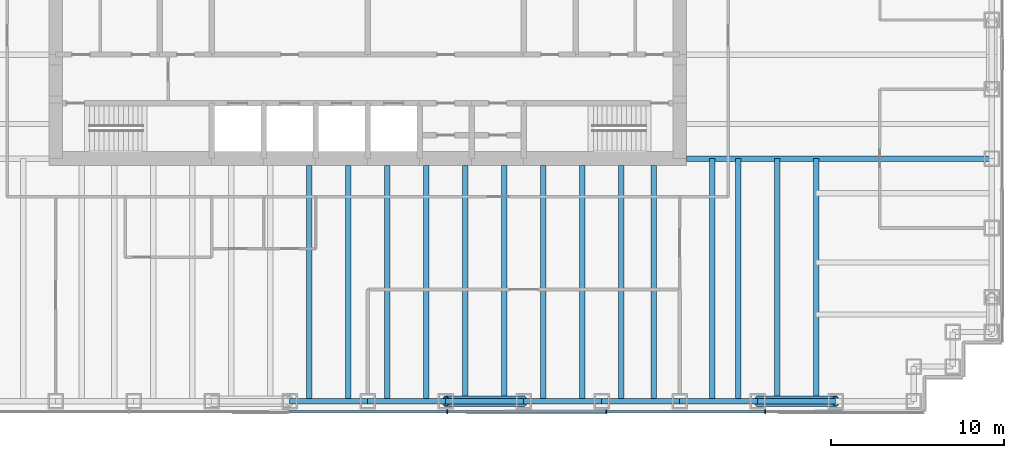
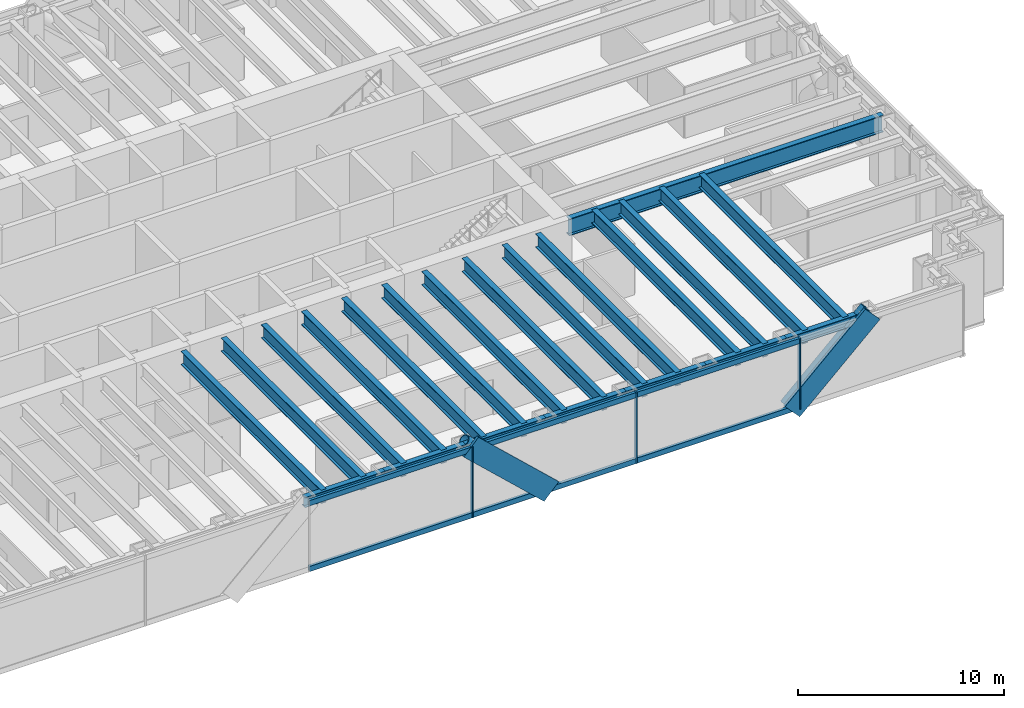
# One storey, part 4 of 15: 22 beams, 13 members, 1 element without a shape of its own.
"""IFC4 building model written with IfcOpenShell, lengths in metres."""

from ifc_helpers import new_model, si_unit, direction, frame, origin, origin_2d, place, context, subcontext, project, spatial, rectangle, hollow_circle, i_section, extrude, material, material_profile, profile_set, type_object, element, aggregate, save


model = new_model("IFC4")

# Units and contexts
model_context = context("Model", 3, precision=1e-05, world=origin(), true_north=direction((0.0, 1.0)))
body_context = subcontext(model_context, "Body", "Model", "MODEL_VIEW")
ifc_project = project(units=[si_unit("LENGTHUNIT", "METRE"), si_unit("AREAUNIT", "SQUARE_METRE"), si_unit("VOLUMEUNIT", "CUBIC_METRE"), si_unit("PLANEANGLEUNIT", "RADIAN"), si_unit("MASSUNIT", "GRAM", prefix="KILO")], contexts=[model_context])

# Site, building, storey
site_placement = place(None, origin())
site = spatial("IfcSite", under=ifc_project, at=site_placement, CompositionType="ELEMENT")
building_placement = place(site_placement, origin())
building = spatial("IfcBuilding", under=site, at=building_placement, Name="Rheinbord Bourse Tower", CompositionType="ELEMENT")
storey_placement = place(building_placement, frame((0.0, 0.0, 236.199951171875)))
storey = spatial("IfcBuildingStorey", under=building, at=storey_placement, Name="L53", CompositionType="ELEMENT", Elevation=236.199951171875)

# Curtain wall, members
ifc_material_1 = material(Name="Dark glass and black aluminium", Category="aluminium")
curtain_wall_type = type_object("IfcCurtainWallType", Name="CW2 DARK GLASS CURTAIN WALL", PredefinedType="USERDEFINED", material=ifc_material_1)
curtain_wall_placement = place(storey_placement, origin())
curtain_wall = element("IfcCurtainWall", 1, at=curtain_wall_placement, inside=storey, type_object=curtain_wall_type, Name="Curtain wall CW2 S L53", ObjectType="UNITISED CURTAIN WALL", PredefinedType="USERDEFINED")
ifc_material_2 = material(Name="Black anodised aluminium", Category="aluminium")
ifc_material_profile_1 = material_profile(ifc_material_2, rectangle(XDim=0.159912109375, YDim=1.2099609375, at=origin_2d()), Name="CW2 DIAGONAL MULLION 1210x160")
ifc_profile_set_1 = profile_set([ifc_material_profile_1], Name="Black anodised aluminium")
member_type_1 = type_object("IfcMemberType", Name="CW2 BLACK DIAGONAL MULLION", PredefinedType="USERDEFINED", material=ifc_profile_set_1)
member_1_placement = place(storey_placement, frame((58.5, 1.39990234375, 0.0), z_axis=(0.73105922506, 0.0, 0.682314010889), x_axis=(0.0, 1.0, 0.0)))
member_1 = element("IfcMember", 2, at=member_1_placement, type_object=member_type_1, Name="CW2 diagonal mullion b", ObjectType="DIAGONAL MULLION", PredefinedType="USERDEFINED", context=body_context, shape_type="SweptSolid", body=[
    extrude(rectangle(XDim=0.159912109375, YDim=1.2099609375, at=origin_2d()), origin(), (0.0, 0.0, 1.0), 6.155517578125),
])
member_2_placement = place(storey_placement, frame((45.0, 1.39990234375, 0.0), z_axis=(-0.73105922506, 0.0, 0.682314010889), x_axis=(0.0, -1.0, 0.0)))
member_2 = element("IfcMember", 3, at=member_2_placement, type_object=member_type_1, Name="CW2 diagonal mullion d", ObjectType="DIAGONAL MULLION", PredefinedType="USERDEFINED", context=body_context, shape_type="SweptSolid", body=[
    extrude(rectangle(XDim=0.159912109375, YDim=1.2099609375, at=origin_2d()), origin(), (0.0, 0.0, 1.0), 6.155517578125),
])
ifc_material_3 = material(Name="Black anodised aluminium", Category="aluminium")
ifc_material_profile_2 = material_profile(ifc_material_3, rectangle(XDim=0.219970703125, YDim=0.070068359375, at=origin_2d()), Name="CW2 MULLION 70x220")
ifc_profile_set_2 = profile_set([ifc_material_profile_2], Name="Black anodised aluminium")
member_type_2 = type_object("IfcMemberType", Name="CW2 BLACK MULLION", PredefinedType="MULLION", material=ifc_profile_set_2)
member_3_placement = place(storey_placement, frame((40.585693359375, 1.39990234375, 0.0), z_axis=(0.0, 0.0, 1.0), x_axis=(0.0, 1.0, 0.0)))
member_3 = element("IfcMember", 4, at=member_3_placement, type_object=member_type_2, Name="CW2 mullion 5", PredefinedType="MULLION", context=body_context, shape_type="SweptSolid", body=[
    extrude(rectangle(XDim=0.219970703125, YDim=0.070068359375, at=origin_2d()), origin(), (0.0, 0.0, 1.0), 4.199951171875),
])
member_4_placement = place(storey_placement, frame((49.757080078125, 1.39990234375, 0.0), z_axis=(0.0, 0.0, 1.0), x_axis=(0.0, 1.0, 0.0)))
member_4 = element("IfcMember", 5, at=member_4_placement, type_object=member_type_2, Name="CW2 mullion 6", PredefinedType="MULLION", context=body_context, shape_type="SweptSolid", body=[
    extrude(rectangle(XDim=0.219970703125, YDim=0.070068359375, at=origin_2d()), origin(), (0.0, 0.0, 1.0), 4.199951171875),
])
member_5_placement = place(storey_placement, frame((58.928466796875, 1.39990234375, 0.0), z_axis=(0.0, 0.0, 1.0), x_axis=(0.0, 1.0, 0.0)))
member_5 = element("IfcMember", 6, at=member_5_placement, type_object=member_type_2, Name="CW2 mullion 7", PredefinedType="MULLION", context=body_context, shape_type="SweptSolid", body=[
    extrude(rectangle(XDim=0.219970703125, YDim=0.070068359375, at=origin_2d()), origin(), (0.0, 0.0, 1.0), 4.199951171875),
])
ifc_material_4 = material(Name="Black anodised aluminium", Category="aluminium")
ifc_material_profile_3 = material_profile(ifc_material_4, rectangle(XDim=0.159912109375, YDim=0.300048828125, at=origin_2d()), Name="CW2 TRANSOM 300x160")
ifc_profile_set_3 = profile_set([ifc_material_profile_3], Name="Black anodised aluminium")
member_type_3 = type_object("IfcMemberType", Name="CW2 BLACK TRANSOM", PredefinedType="USERDEFINED", material=ifc_profile_set_3)
member_6_placement = place(storey_placement, frame((31.44921875, 1.39990234375, 0.150146484375), z_axis=(1.0, 0.0, 0.0), x_axis=(0.0, 1.0, 0.0)))
member_6 = element("IfcMember", 7, at=member_6_placement, type_object=member_type_3, Name="CW2 transom 4.1", ObjectType="TRANSOM", PredefinedType="USERDEFINED", context=body_context, shape_type="SweptSolid", body=[
    extrude(rectangle(XDim=0.159912109375, YDim=0.300048828125, at=origin_2d()), origin(), (0.0, 0.0, 1.0), 9.1015625),
])
member_7_placement = place(storey_placement, frame((31.44921875, 1.39990234375, 4.050048828125), z_axis=(1.0, 0.0, 0.0), x_axis=(0.0, 1.0, 0.0)))
member_7 = element("IfcMember", 8, at=member_7_placement, type_object=member_type_3, Name="CW2 transom 4.2", ObjectType="TRANSOM", PredefinedType="USERDEFINED", context=body_context, shape_type="SweptSolid", body=[
    extrude(rectangle(XDim=0.159912109375, YDim=0.300048828125, at=origin_2d()), origin(), (0.0, 0.0, 1.0), 9.1015625),
])
member_8_placement = place(storey_placement, frame((40.62060546875, 1.39990234375, 0.150146484375), z_axis=(1.0, 0.0, 0.0), x_axis=(0.0, 1.0, 0.0)))
member_8 = element("IfcMember", 9, at=member_8_placement, type_object=member_type_3, Name="CW2 transom 5.1", ObjectType="TRANSOM", PredefinedType="USERDEFINED", context=body_context, shape_type="SweptSolid", body=[
    extrude(rectangle(XDim=0.159912109375, YDim=0.300048828125, at=origin_2d()), origin(), (0.0, 0.0, 1.0), 9.1015625),
])
member_9_placement = place(storey_placement, frame((40.62060546875, 1.39990234375, 4.050048828125), z_axis=(1.0, 0.0, 0.0), x_axis=(0.0, 1.0, 0.0)))
member_9 = element("IfcMember", 10, at=member_9_placement, type_object=member_type_3, Name="CW2 transom 5.2", ObjectType="TRANSOM", PredefinedType="USERDEFINED", context=body_context, shape_type="SweptSolid", body=[
    extrude(rectangle(XDim=0.159912109375, YDim=0.300048828125, at=origin_2d()), origin(), (0.0, 0.0, 1.0), 9.1015625),
])
member_10_placement = place(storey_placement, frame((49.792236328125, 1.39990234375, 0.150146484375), z_axis=(1.0, 0.0, 0.0), x_axis=(0.0, 1.0, 0.0)))
member_10 = element("IfcMember", 11, at=member_10_placement, type_object=member_type_3, Name="CW2 transom 6.1", ObjectType="TRANSOM", PredefinedType="USERDEFINED", context=body_context, shape_type="SweptSolid", body=[
    extrude(rectangle(XDim=0.159912109375, YDim=0.300048828125, at=origin_2d()), origin(), (0.0, 0.0, 1.0), 9.101318359375),
])
member_11_placement = place(storey_placement, frame((49.792236328125, 1.39990234375, 4.050048828125), z_axis=(1.0, 0.0, 0.0), x_axis=(0.0, 1.0, 0.0)))
member_11 = element("IfcMember", 12, at=member_11_placement, type_object=member_type_3, Name="CW2 transom 6.2", ObjectType="TRANSOM", PredefinedType="USERDEFINED", context=body_context, shape_type="SweptSolid", body=[
    extrude(rectangle(XDim=0.159912109375, YDim=0.300048828125, at=origin_2d()), origin(), (0.0, 0.0, 1.0), 9.101318359375),
])
aggregate(curtain_wall, [member_3, member_4, member_5, member_6, member_7, member_8, member_9, member_10, member_11, member_1, member_2])

# Beams
ifc_material_5 = material(Name="Steel S460", Category="steel")
ifc_material_profile_4 = material_profile(ifc_material_5, i_section(OverallWidth=0.300048828125, OverallDepth=0.800048828125, WebThickness=0.017578125, FlangeThickness=0.032958984375, at=origin_2d()), Name="HEB 800")
ifc_profile_set_4 = profile_set([ifc_material_profile_4], Name="Steel S460")
beam_type_1 = type_object("IfcBeamType", Name="FLOOR BEAM HEB 800", PredefinedType="BEAM", material=ifc_profile_set_4)
for number, where, z_axis, x_axis, name in (
    (13, (32.625, 2.0, 3.64013671875), (0.0, 1.0, 0.0), (-1.0, 0.0, 0.0), "Floor beam S-31.5a L54"),
    (14, (34.875, 2.0, 3.64013671875), (0.0, 1.0, 0.0), (-1.0, 0.0, 0.0), "Floor beam S-31.5b L54"),
    (15, (37.125, 2.0, 3.64013671875), (0.0, 1.0, 0.0), (-1.0, 0.0, 0.0), "Floor beam S-36a L54"),
    (16, (39.375, 2.0, 3.64013671875), (0.0, 1.0, 0.0), (-1.0, 0.0, 0.0), "Floor beam S-36b L54"),
    (17, (41.625, 2.0, 3.64013671875), (0.0, 1.0, 0.0), (-1.0, 0.0, 0.0), "Floor beam S-40.5a L54"),
    (18, (43.875, 2.0, 3.64013671875), (0.0, 1.0, 0.0), (-1.0, 0.0, 0.0), "Floor beam S-40.5b L54"),
    (19, (46.125, 2.0, 3.64013671875), (0.0, 1.0, 0.0), (-1.0, 0.0, 0.0), "Floor beam S-45a L54"),
    (20, (48.375, 2.0, 3.64013671875), (0.0, 1.0, 0.0), (-1.0, 0.0, 0.0), "Floor beam S-45b L54"),
    (21, (50.625, 2.0, 3.64013671875), (0.0, 1.0, 0.0), (-1.0, 0.0, 0.0), "Floor beam S-49.5a L54"),
    (22, (52.5, 2.0, 3.64013671875), (0.0, 1.0, 0.0), (-1.0, 0.0, 0.0), "Floor beam S-49.5b L54"),
):
    element("IfcBeam", number, at=place(storey_placement, frame(where, z_axis=z_axis, x_axis=x_axis)), inside=storey, type_object=beam_type_1, Name=name, PredefinedType="BEAM", context=body_context, shape_type="SweptSolid", body=[
        extrude(i_section(OverallWidth=0.300048828125, OverallDepth=0.800048828125, WebThickness=0.017578125, FlangeThickness=0.032958984375, at=origin_2d()), origin(), (0.0, 0.0, 1.0), 13.60009765625),
    ])
for number, where, z_axis, x_axis, name in (
    (23, (55.875, 2.0, 3.64013671875), (0.0, 1.0, 0.0), (-1.0, 0.0, 0.0), "Floor beam S-54a L54"),
    (24, (57.375, 2.0, 3.64013671875), (0.0, 1.0, 0.0), (-1.0, 0.0, 0.0), "Floor beam S-54b L54"),
    (25, (59.625, 2.0, 3.64013671875), (0.0, 1.0, 0.0), (-1.0, 0.0, 0.0), "Floor beam S-58.5a L54"),
    (26, (61.875, 2.0, 3.64013671875), (0.0, 1.0, 0.0), (-1.0, 0.0, 0.0), "Floor beam S-58.5b L54"),
):
    element("IfcBeam", number, at=place(storey_placement, frame(where, z_axis=z_axis, x_axis=x_axis)), inside=storey, type_object=beam_type_1, Name=name, PredefinedType="BEAM", context=body_context, shape_type="SweptSolid", body=[
        extrude(i_section(OverallWidth=0.300048828125, OverallDepth=0.800048828125, WebThickness=0.017578125, FlangeThickness=0.032958984375, at=origin_2d()), origin(), (0.0, 0.0, 1.0), 14.0),
    ])
ifc_material_6 = material(Name="Steel S460", Category="steel")
ifc_material_profile_5 = material_profile(ifc_material_6, i_section(OverallWidth=0.302001953125, OverallDepth=1.008056640625, WebThickness=0.02099609375, FlangeThickness=0.0400390625, at=origin_2d()), Name="HEM 1000")
ifc_profile_set_5 = profile_set([ifc_material_profile_5], Name="Steel S460")
beam_type_2 = type_object("IfcBeamType", Name="GIRDER HEM 1000", PredefinedType="BEAM", material=ifc_profile_set_5)
beam_placement = place(storey_placement, frame((54.39990234375, 16.0, 3.5361328125), z_axis=(1.0, 0.0, 0.0), x_axis=(0.0, 1.0, 0.0)))
element("IfcBeam", 27, at=beam_placement, inside=storey, type_object=beam_type_2, Name="Girder east 16 L54", PredefinedType="BEAM", context=body_context, shape_type="SweptSolid", body=[
    extrude(i_section(OverallWidth=0.302001953125, OverallDepth=1.008056640625, WebThickness=0.02099609375, FlangeThickness=0.0400390625, at=origin_2d()), origin(), (0.0, 0.0, 1.0), 17.60009765625),
])

# Members
ifc_material_7 = material(Name="Steel S460", Category="steel")
ifc_material_profile_6 = material_profile(ifc_material_7, hollow_circle(Radius=0.304931640625, WallThickness=0.0400390625, at=origin_2d()), Name="CHS 610x40")
ifc_profile_set_6 = profile_set([ifc_material_profile_6], Name="Steel S460")
member_type_4 = type_object("IfcMemberType", Name="MEGABRACE CHS 610x40", PredefinedType="BRACE", material=ifc_profile_set_6)
for number, where, z_axis, x_axis, name in (
    (28, (58.5, 2.0, 0.0), (0.73105922506, 0.0, 0.682314010889), (0.0, 1.0, 0.0), "Megabrace S face line b L53"),
    (29, (45.0, 2.0, 0.0), (-0.73105922506, 0.0, 0.682314010889), (0.0, -1.0, 0.0), "Megabrace S face line d L53"),
):
    element("IfcMember", number, at=place(storey_placement, frame(where, z_axis=z_axis, x_axis=x_axis)), inside=storey, type_object=member_type_4, Name=name, PredefinedType="BRACE", context=body_context, shape_type="SweptSolid", body=[
        extrude(hollow_circle(Radius=0.304931640625, WallThickness=0.0400390625, at=origin_2d()), origin(), (0.0, 0.0, 1.0), 6.155517578125),
    ])

# Beams
ifc_material_8 = material(Name="Steel S460", Category="steel")
ifc_material_profile_7 = material_profile(ifc_material_8, i_section(OverallWidth=0.300048828125, OverallDepth=0.60009765625, WebThickness=0.015380859375, FlangeThickness=0.030029296875, at=origin_2d()), Name="HEB 600")
ifc_profile_set_7 = profile_set([ifc_material_profile_7], Name="Steel S460")
beam_type_3 = type_object("IfcBeamType", Name="SPANDREL HEB 600", PredefinedType="SPANDREL", material=ifc_profile_set_7)
for number, where, z_axis, x_axis, name in (
    (30, (31.5, 2.0, 3.739990234375), (1.0, 0.0, 0.0), (0.0, 1.0, 0.0), "Spandrel S-31.5-S-36 under L54"),
    (31, (36.0, 2.0, 3.739990234375), (1.0, 0.0, 0.0), (0.0, 1.0, 0.0), "Spandrel S-36-S-40.5 under L54"),
    (32, (40.5, 2.0, 3.739990234375), (1.0, 0.0, 0.0), (0.0, 1.0, 0.0), "Spandrel S-40.5-S-45 under L54"),
    (33, (45.0, 2.0, 3.739990234375), (1.0, 0.0, 0.0), (0.0, 1.0, 0.0), "Spandrel S-45-S-49.5 under L54"),
    (34, (49.5, 2.0, 3.739990234375), (1.0, 0.0, 0.0), (0.0, 1.0, 0.0), "Spandrel S-49.5-S-54 under L54"),
    (35, (54.0, 2.0, 3.739990234375), (1.0, 0.0, 0.0), (0.0, 1.0, 0.0), "Spandrel S-54-S-58.5 under L54"),
    (36, (58.5, 2.0, 3.739990234375), (1.0, 0.0, 0.0), (0.0, 1.0, 0.0), "Spandrel S-58.5-S-63 under L54"),
):
    element("IfcBeam", number, at=place(storey_placement, frame(where, z_axis=z_axis, x_axis=x_axis)), inside=storey, type_object=beam_type_3, Name=name, PredefinedType="SPANDREL", context=body_context, shape_type="SweptSolid", body=[
        extrude(i_section(OverallWidth=0.300048828125, OverallDepth=0.60009765625, WebThickness=0.015380859375, FlangeThickness=0.030029296875, at=origin_2d()), origin(), (0.0, 0.0, 1.0), 4.5),
    ])

save(model, "model.ifc")
